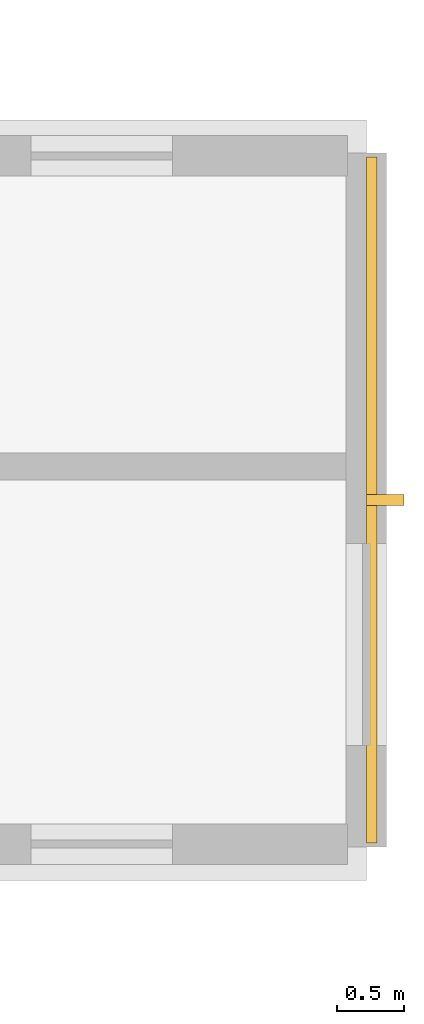
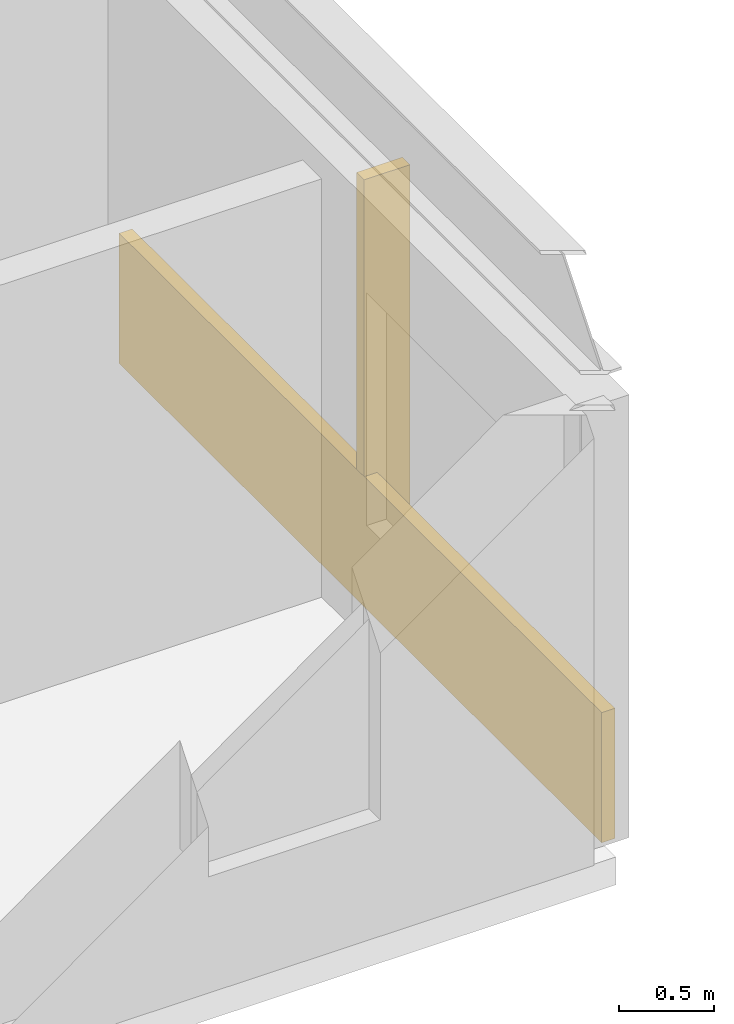
# One storey, part 28 of 29: 1 covering, 1 shading device.
"""IFC4 building model written with IfcOpenShell, lengths in metres."""

from ifc_helpers import new_model, si_unit, direction, frame, origin, origin_2d, place, context, subcontext, project, spatial, rectangle, extrude, material, layer, layer_set, type_object, element, save


model = new_model("IFC4")

# Units and contexts
model_context = context("Model", 3, precision=1e-05, world=origin(), true_north=direction((0.0, 1.0)))
body_context = subcontext(model_context, "Body", "Model", "MODEL_VIEW")
ifc_project = project(units=[si_unit("LENGTHUNIT", "METRE"), si_unit("AREAUNIT", "SQUARE_METRE"), si_unit("VOLUMEUNIT", "CUBIC_METRE"), si_unit("PLANEANGLEUNIT", "RADIAN"), si_unit("MASSUNIT", "GRAM", prefix="KILO")], contexts=[model_context])

# Site, building, storey
site_placement = place(None, origin())
site = spatial("IfcSite", under=ifc_project, at=site_placement, CompositionType="ELEMENT")
building_placement = place(site_placement, origin())
building = spatial("IfcBuilding", under=site, at=building_placement, Name="Surkhivell Harbour Commons", CompositionType="ELEMENT")
storey_placement = place(building_placement, frame((0.0, 0.0, 154.5)))
storey = spatial("IfcBuildingStorey", under=building, at=storey_placement, Name="L40", CompositionType="ELEMENT", Elevation=154.5)

# Covering
ifc_material_1 = material(Name="Vermilion-coral enamelled aluminium cassette panel", Category="aluminium")
ifc_layer = layer(ifc_material_1, 0.074951171875)
ifc_layer_set = layer_set([ifc_layer], Name="Vermilion-coral enamelled aluminium cassette panel")
covering_type = type_object("IfcCoveringType", Name="COV-CLAD-VER", PredefinedType="CLADDING", material=ifc_layer_set)
covering_placement = place(storey_placement, frame((25.93994140625, 8.10009765625, 0.0), z_axis=(0.0, 0.0, 1.0), x_axis=(1.0, 0.0, 0.0)))
element("IfcCovering", 1, at=covering_placement, inside=storey, type_object=covering_type, Name="L40 Coloured-Panel Box Spandrel Cassette 01", PredefinedType="CLADDING", context=body_context, shape_type="SweptSolid", body=[
    extrude(rectangle(XDim=0.080078125, YDim=5.10009765625, at=origin_2d()), origin(), (0.0, 0.0, 1.0), 0.840087890625),
])

# Shading device
ifc_material_2 = material(Name="Champagne anodised aluminium solar fin", Category="aluminium")
shading_device_type = type_object("IfcShadingDeviceType", Name="SHD-FIN-SLIM", PredefinedType="USERDEFINED", material=ifc_material_2)
shading_device_placement = place(storey_placement, frame((26.0400390625, 8.10009765625, 0.0048828125), z_axis=(0.0, 0.0, 1.0), x_axis=(1.0, 0.0, 0.0)))
element("IfcShadingDevice", 2, at=shading_device_placement, inside=storey, type_object=shading_device_type, Name="L40 Coloured-Box Solar Fin 01", ObjectType="FIN", PredefinedType="USERDEFINED", context=body_context, shape_type="SweptSolid", body=[
    extrude(rectangle(XDim=0.280029296875, YDim=0.080078125, at=origin_2d()), origin(), (0.0, 0.0, 1.0), 2.75),
])

save(model, "model.ifc")
